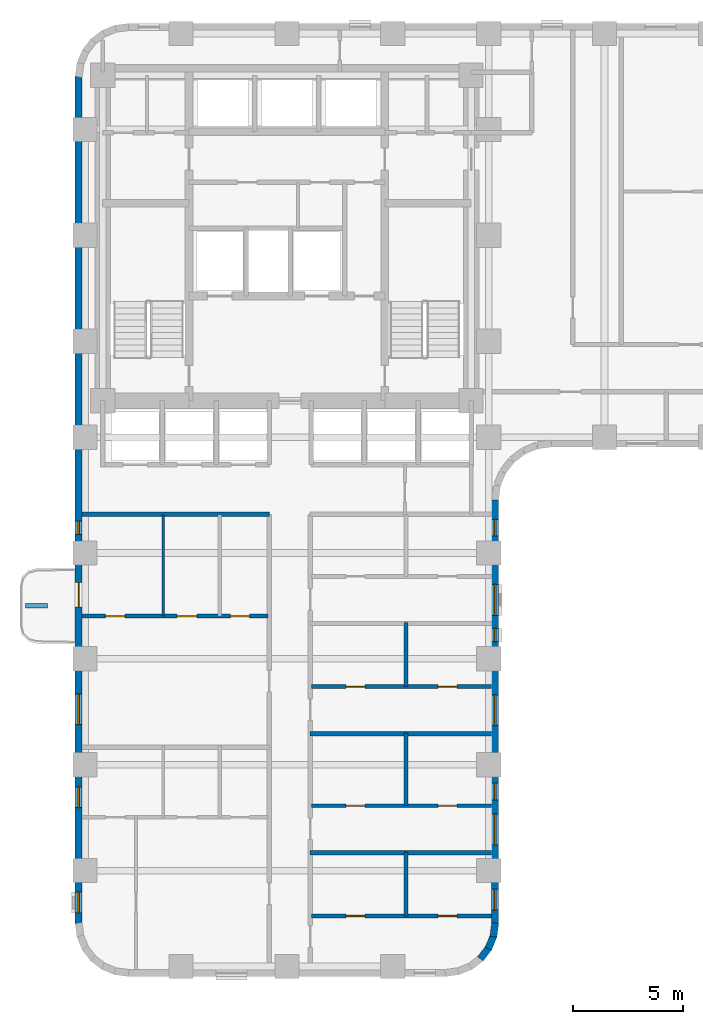
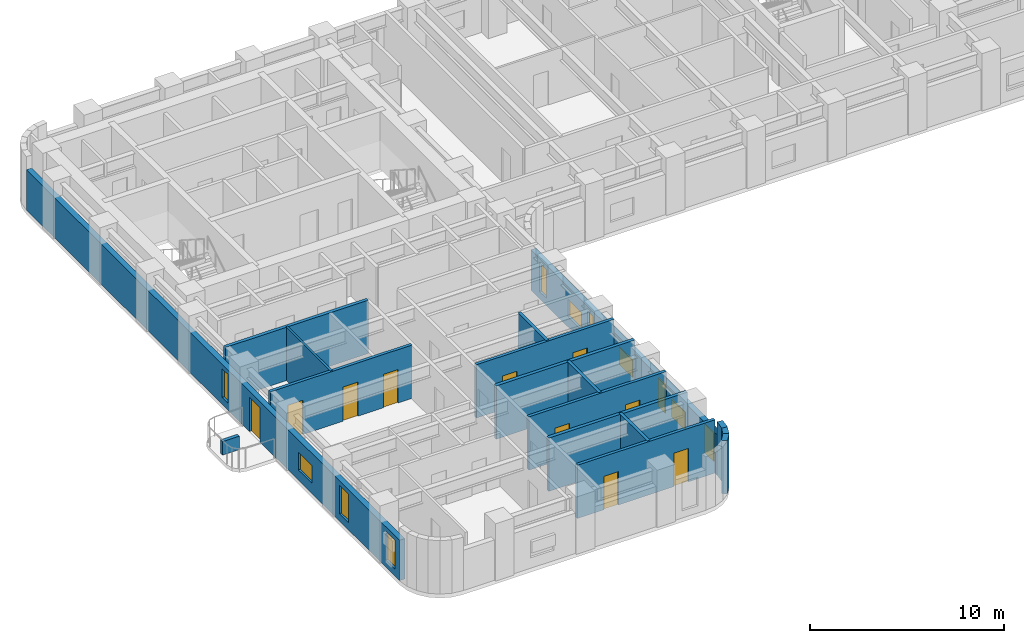
# One storey, part 3 of 11: 17 walls, 11 windows, 10 doors, 21 openings.
"""IFC4 building model written with IfcOpenShell, lengths in metres."""

from ifc_helpers import new_model, si_unit, direction, frame, frame_2d, origin, place, context, subcontext, project, spatial, rectangle, extrude, material, layer, layer_set, type_object, element, fill, save


model = new_model("IFC4")

# Units and contexts
model_context = context("Model", 3, precision=1e-05, world=origin(), true_north=direction((0.0, 1.0)))
body_context = subcontext(model_context, "Body", "Model", "MODEL_VIEW")
ifc_project = project(units=[si_unit("LENGTHUNIT", "METRE"), si_unit("AREAUNIT", "SQUARE_METRE"), si_unit("VOLUMEUNIT", "CUBIC_METRE"), si_unit("PLANEANGLEUNIT", "RADIAN"), si_unit("MASSUNIT", "GRAM", prefix="KILO")], contexts=[model_context])

# Site, building, storey
site_placement = place(None, origin())
site = spatial("IfcSite", under=ifc_project, at=site_placement, CompositionType="ELEMENT")
building_placement = place(site_placement, origin())
building = spatial("IfcBuilding", under=site, at=building_placement, Name="Orvandelia Arch Residences", CompositionType="ELEMENT")
storey_placement = place(building_placement, frame((0.0, 0.0, 61.0)))
storey = spatial("IfcBuildingStorey", under=building, at=storey_placement, Name="L15", CompositionType="ELEMENT", Elevation=61.0)

# Walls
ifc_material_1 = material(Name="Fire-Rated Corridor Partition")
ifc_layer_1 = layer(ifc_material_1, 0.199951171875, Name="Fire-Rated Corridor Partition")
ifc_layer_set_1 = layer_set([ifc_layer_1], Name="Fire-Rated Corridor Partition")
wall_type_1 = type_object("IfcWallType", Name="WL-CORR-200", PredefinedType="PARTITIONING", material=ifc_layer_set_1)
wall_1_placement = place(storey_placement, frame((5.1201171875, 25.75, 0.0), z_axis=(0.0, 0.0, 1.0), x_axis=(1.0, 0.0, 0.0)))
element("IfcWall", 1, at=wall_1_placement, inside=storey, type_object=wall_type_1, Name="Interior Partition Wall WL-L15-WCLS-W", PredefinedType="PARTITIONING", context=body_context, shape_type="SweptSolid", body=[
    extrude(rectangle(XDim=8.47998046875, YDim=0.199951171875, at=frame_2d((4.239990234375, 0.0))), origin(), (0.0, 0.0, 1.0), 3.35009765625),
])
ifc_material_2 = material(Name="Concrete C40/50", Category="concrete")
ifc_layer_2 = layer(ifc_material_2, 0.199951171875, Name="Concrete C40/50", Category="concrete")
ifc_layer_set_2 = layer_set([ifc_layer_2], Name="Concrete C40/50")
wall_type_2 = type_object("IfcWallType", Name="WL-DEM-200", PredefinedType="SOLIDWALL", material=ifc_layer_set_2)
for number, where, z_axis, x_axis, name in (
    (2, (15.449951171875, 10.39990234375, 0.0), (0.0, 0.0, 1.0), (1.0, 0.0, 0.0), "Interior Partition Wall WL-L15-DEM-WR-104"),
    (3, (15.449951171875, 15.800048828125, 0.0), (0.0, 0.0, 1.0), (1.0, 0.0, 0.0), "Interior Partition Wall WL-L15-DEM-WR-158"),
):
    element("IfcWall", number, at=place(storey_placement, frame(where, z_axis=z_axis, x_axis=x_axis)), inside=storey, type_object=wall_type_2, Name=name, PredefinedType="SOLIDWALL", context=body_context, shape_type="SweptSolid", body=[
        extrude(rectangle(XDim=8.22998046875, YDim=0.199951171875, at=frame_2d((4.114990234375, 0.0))), origin(), (0.0, 0.0, 1.0), 3.35009765625),
    ])

# Wall, openings, windows
ifc_material_3 = material(Name="Precast concrete C40/50", Category="concrete")
ifc_layer_3 = layer(ifc_material_3, 0.320068359375, Name="Precast concrete C40/50", Category="concrete")
ifc_layer_set_3 = layer_set([ifc_layer_3], Name="Precast concrete C40/50")
wall_type_3 = type_object("IfcWallType", Name="WL-EXT-STONE-320", PredefinedType="STANDARD", material=ifc_layer_set_3)
wall_2_placement = place(storey_placement, frame((23.840087890625, 26.39990234375, 0.0), z_axis=(0.0, 0.0, 1.0), x_axis=(0.0, -1.0, 0.0)))
wall_2 = element("IfcWall", 4, at=wall_2_placement, inside=storey, type_object=wall_type_3, Name="Coral-Limestone Precast Facade Wall L15-028", PredefinedType="STANDARD", context=body_context, shape_type="SweptSolid", body=[
    extrude(rectangle(XDim=19.199951171875, YDim=0.320068359375, at=frame_2d((9.60009765625, 0.0))), origin(), (0.0, 0.0, 1.0), 2.530029296875),
])
opening_1_placement = place(wall_2_placement, frame((14.22998046875, 0.0, 0.64990234375)))
opening_1 = element("IfcOpeningElement", 5, at=opening_1_placement, cuts=wall_2, Name="Opening W10", PredefinedType="OPENING", context=body_context, shape_type="SweptSolid", body=[
    extrude(rectangle(XDim=1.39990234375, YDim=1.10009765625, at=frame_2d((0.699951171875, 0.550048828125))), frame((0.0, 0.169921875, 0.0), z_axis=(0.0, -1.0, 0.0), x_axis=(1.0, 0.0, 0.0)), (0.0, 0.0, 1.0), 0.340087890625),
])
opening_2_placement = place(wall_2_placement, frame((8.830078125, 0.0, 0.64990234375)))
opening_2 = element("IfcOpeningElement", 6, at=opening_2_placement, cuts=wall_2, Name="Opening W10", PredefinedType="OPENING", context=body_context, shape_type="SweptSolid", body=[
    extrude(rectangle(XDim=1.39990234375, YDim=1.10009765625, at=frame_2d((0.699951171875, 0.550048828125))), frame((0.0, 0.169921875, 0.0), z_axis=(0.0, -1.0, 0.0), x_axis=(1.0, 0.0, 0.0)), (0.0, 0.0, 1.0), 0.340087890625),
])
opening_3_placement = place(wall_2_placement, frame((3.830078125, 0.0, 0.64990234375)))
opening_3 = element("IfcOpeningElement", 7, at=opening_3_placement, cuts=wall_2, Name="Opening W10", PredefinedType="OPENING", context=body_context, shape_type="SweptSolid", body=[
    extrude(rectangle(XDim=1.39990234375, YDim=1.10009765625, at=frame_2d((0.699951171875, 0.550048828125))), frame((0.0, 0.169921875, 0.0), z_axis=(0.0, -1.0, 0.0), x_axis=(1.0, 0.0, 0.0)), (0.0, 0.0, 1.0), 0.340087890625),
])
opening_4_placement = place(wall_2_placement, frame((17.638916015625, 0.0, 0.449951171875)))
opening_4 = element("IfcOpeningElement", 8, at=opening_4_placement, cuts=wall_2, Name="Opening W4", PredefinedType="OPENING", context=body_context, shape_type="SweptSolid", body=[
    extrude(rectangle(XDim=0.949951171875, YDim=1.800048828125, at=frame_2d((0.47509765625, 0.89990234375))), frame((0.0, 0.169921875, 0.0), z_axis=(0.0, -1.0, 0.0), x_axis=(1.0, 0.0, 0.0)), (0.0, 0.0, 1.0), 0.340087890625),
])
opening_5_placement = place(wall_2_placement, frame((12.840087890625, 0.0, 0.449951171875)))
opening_5 = element("IfcOpeningElement", 9, at=opening_5_placement, cuts=wall_2, Name="Opening W11", PredefinedType="OPENING", context=body_context, shape_type="SweptSolid", body=[
    extrude(rectangle(XDim=0.75, YDim=1.800048828125, at=frame_2d((0.375, 0.89990234375))), frame((0.0, 0.169921875, 0.0), z_axis=(0.0, -1.0, 0.0), x_axis=(1.0, 0.0, 0.0)), (0.0, 0.0, 1.0), 0.340087890625),
])
opening_6_placement = place(wall_2_placement, frame((5.81494140625, 0.0, 0.449951171875)))
opening_6 = element("IfcOpeningElement", 10, at=opening_6_placement, cuts=wall_2, Name="Opening W12", PredefinedType="OPENING", context=body_context, shape_type="SweptSolid", body=[
    extrude(rectangle(XDim=0.60009765625, YDim=1.800048828125, at=frame_2d((0.300048828125, 0.89990234375))), frame((0.0, 0.169921875, 0.0), z_axis=(0.0, -1.0, 0.0), x_axis=(1.0, 0.0, 0.0)), (0.0, 0.0, 1.0), 0.340087890625),
])
opening_7_placement = place(wall_2_placement, frame((0.8798828125, 0.0, 0.449951171875)))
opening_7 = element("IfcOpeningElement", 11, at=opening_7_placement, cuts=wall_2, Name="Opening W11", PredefinedType="OPENING", context=body_context, shape_type="SweptSolid", body=[
    extrude(rectangle(XDim=0.75, YDim=1.800048828125, at=frame_2d((0.375, 0.89990234375))), frame((0.0, 0.169921875, 0.0), z_axis=(0.0, -1.0, 0.0), x_axis=(1.0, 0.0, 0.0)), (0.0, 0.0, 1.0), 0.340087890625),
])
ifc_material_4 = material(Name="Tempered Low-E Insulated Glazing", Category="glass")
window_type_1 = type_object("IfcWindowType", Name="WIN-BED-0750x1800", PartitioningType="SINGLE_PANEL", PredefinedType="WINDOW", material=ifc_material_4)
window_1_placement = place(opening_5_placement, origin())
window_1 = element("IfcWindow", 12, at=window_1_placement, inside=storey, type_object=window_type_1, Name="Recessed Punched Window L15-020", OverallHeight=1.800048828125, OverallWidth=0.75, PartitioningType="SINGLE_PANEL", PredefinedType="WINDOW", context=body_context, shape_type="SweptSolid", body=[
    extrude(rectangle(XDim=0.75, YDim=1.800048828125, at=frame_2d((0.375, 0.89990234375))), frame((0.0, 0.030029296875, 0.0), z_axis=(0.0, -1.0, 0.0), x_axis=(1.0, 0.0, 0.0)), (0.0, 0.0, 1.0), 0.06005859375),
])
fill(opening_5, window_1)
window_2_placement = place(opening_7_placement, origin())
window_2 = element("IfcWindow", 13, at=window_2_placement, inside=storey, type_object=window_type_1, Name="Recessed Punched Window L15-022", OverallHeight=1.800048828125, OverallWidth=0.75, PartitioningType="SINGLE_PANEL", PredefinedType="WINDOW", context=body_context, shape_type="SweptSolid", body=[
    extrude(rectangle(XDim=0.75, YDim=1.800048828125, at=frame_2d((0.375, 0.89990234375))), frame((0.0, 0.030029296875, 0.0), z_axis=(0.0, -1.0, 0.0), x_axis=(1.0, 0.0, 0.0)), (0.0, 0.0, 1.0), 0.06005859375),
])
fill(opening_7, window_2)
window_type_2 = type_object("IfcWindowType", Name="WIN-CLR-1400x1100", PartitioningType="SINGLE_PANEL", PredefinedType="WINDOW", material=ifc_material_4)
window_3_placement = place(opening_1_placement, origin())
window_3 = element("IfcWindow", 14, at=window_3_placement, inside=storey, type_object=window_type_2, Name="Recessed Punched Window L15-016", OverallHeight=1.10009765625, OverallWidth=1.39990234375, PartitioningType="SINGLE_PANEL", PredefinedType="WINDOW", context=body_context, shape_type="SweptSolid", body=[
    extrude(rectangle(XDim=1.39990234375, YDim=1.10009765625, at=frame_2d((0.699951171875, 0.550048828125))), frame((0.0, 0.030029296875, 0.0), z_axis=(0.0, -1.0, 0.0), x_axis=(1.0, 0.0, 0.0)), (0.0, 0.0, 1.0), 0.06005859375),
])
fill(opening_1, window_3)
window_4_placement = place(opening_2_placement, origin())
window_4 = element("IfcWindow", 15, at=window_4_placement, inside=storey, type_object=window_type_2, Name="Recessed Punched Window L15-017", OverallHeight=1.10009765625, OverallWidth=1.39990234375, PartitioningType="SINGLE_PANEL", PredefinedType="WINDOW", context=body_context, shape_type="SweptSolid", body=[
    extrude(rectangle(XDim=1.39990234375, YDim=1.10009765625, at=frame_2d((0.699951171875, 0.550048828125))), frame((0.0, 0.030029296875, 0.0), z_axis=(0.0, -1.0, 0.0), x_axis=(1.0, 0.0, 0.0)), (0.0, 0.0, 1.0), 0.06005859375),
])
fill(opening_2, window_4)
window_5_placement = place(opening_3_placement, origin())
window_5 = element("IfcWindow", 16, at=window_5_placement, inside=storey, type_object=window_type_2, Name="Recessed Punched Window L15-018", OverallHeight=1.10009765625, OverallWidth=1.39990234375, PartitioningType="SINGLE_PANEL", PredefinedType="WINDOW", context=body_context, shape_type="SweptSolid", body=[
    extrude(rectangle(XDim=1.39990234375, YDim=1.10009765625, at=frame_2d((0.699951171875, 0.550048828125))), frame((0.0, 0.030029296875, 0.0), z_axis=(0.0, -1.0, 0.0), x_axis=(1.0, 0.0, 0.0)), (0.0, 0.0, 1.0), 0.06005859375),
])
fill(opening_3, window_5)
window_type_3 = type_object("IfcWindowType", Name="WIN-LAN-0600x1800", PartitioningType="SINGLE_PANEL", PredefinedType="WINDOW", material=ifc_material_4)
window_6_placement = place(opening_6_placement, origin())
window_6 = element("IfcWindow", 17, at=window_6_placement, inside=storey, type_object=window_type_3, Name="Recessed Punched Window L15-021", OverallHeight=1.800048828125, OverallWidth=0.60009765625, PartitioningType="SINGLE_PANEL", PredefinedType="WINDOW", context=body_context, shape_type="SweptSolid", body=[
    extrude(rectangle(XDim=0.60009765625, YDim=1.800048828125, at=frame_2d((0.300048828125, 0.89990234375))), frame((0.0, 0.030029296875, 0.0), z_axis=(0.0, -1.0, 0.0), x_axis=(1.0, 0.0, 0.0)), (0.0, 0.0, 1.0), 0.06005859375),
])
fill(opening_6, window_6)
window_type_4 = type_object("IfcWindowType", Name="WIN-RES-0950x1800", PartitioningType="SINGLE_PANEL", PredefinedType="WINDOW", material=ifc_material_4)
window_7_placement = place(opening_4_placement, origin())
window_7 = element("IfcWindow", 18, at=window_7_placement, inside=storey, type_object=window_type_4, Name="Recessed Punched Window L15-019", OverallHeight=1.800048828125, OverallWidth=0.949951171875, PartitioningType="SINGLE_PANEL", PredefinedType="WINDOW", context=body_context, shape_type="SweptSolid", body=[
    extrude(rectangle(XDim=0.949951171875, YDim=1.800048828125, at=frame_2d((0.47509765625, 0.89990234375))), frame((0.0, 0.030029296875, 0.0), z_axis=(0.0, -1.0, 0.0), x_axis=(1.0, 0.0, 0.0)), (0.0, 0.0, 1.0), 0.06005859375),
])
fill(opening_4, window_7)

# Walls
wall_3_placement = place(storey_placement, frame((23.84130859375, 7.220947265625, 0.0), z_axis=(0.0, 0.0, 1.0), x_axis=(-0.130504898859, -0.991447664465, 0.0)))
element("IfcWall", 19, at=wall_3_placement, inside=storey, type_object=wall_type_3, Name="Coral-Limestone Precast Facade Wall L15-029", PredefinedType="STANDARD", context=body_context, shape_type="SweptSolid", body=[
    extrude(rectangle(XDim=0.626708984375, YDim=0.320068359375, at=frame_2d((0.3134765625, 0.0))), origin(), (0.0, 0.0, 1.0), 3.35009765625),
])
wall_4_placement = place(storey_placement, frame((23.7705078125, 6.639892578125, 0.0), z_axis=(0.0, 0.0, 1.0), x_axis=(-0.382787856107, -0.923836271867, 0.0)))
element("IfcWall", 20, at=wall_4_placement, inside=storey, type_object=wall_type_3, Name="Coral-Limestone Precast Facade Wall L15-030", PredefinedType="STANDARD", context=body_context, shape_type="SweptSolid", body=[
    extrude(rectangle(XDim=0.626220703125, YDim=0.320068359375, at=frame_2d((0.31298828125, 0.0))), origin(), (0.0, 0.0, 1.0), 3.35009765625),
])
wall_5_placement = place(storey_placement, frame((23.551513671875, 6.097412109375, 0.0), z_axis=(0.0, 0.0, 1.0), x_axis=(-0.608693302629, -0.793405610854, 0.0)))
element("IfcWall", 21, at=wall_5_placement, inside=storey, type_object=wall_type_3, Name="Coral-Limestone Precast Facade Wall L15-031", PredefinedType="STANDARD", context=body_context, shape_type="SweptSolid", body=[
    extrude(rectangle(XDim=0.62646484375, YDim=0.320068359375, at=frame_2d((0.313232421875, 0.0))), origin(), (0.0, 0.0, 1.0), 3.35009765625),
])

# Wall, openings, door, windows
wall_6_placement = place(storey_placement, frame((4.9599609375, 7.199951171875, 0.0), z_axis=(0.0, 0.0, 1.0), x_axis=(0.0, 1.0, 0.0)))
wall_6 = element("IfcWall", 22, at=wall_6_placement, inside=storey, type_object=wall_type_3, Name="Coral-Limestone Precast Facade Wall L15-042", PredefinedType="STANDARD", context=body_context, shape_type="SweptSolid", body=[
    extrude(rectangle(XDim=38.400146484375, YDim=0.320068359375, at=frame_2d((19.2001953125, 0.0))), origin(), (0.0, 0.0, 1.0), 2.530029296875),
])
opening_8_placement = place(wall_6_placement, frame((14.35009765625, 0.0, 0.0)))
opening_8 = element("IfcOpeningElement", 23, at=opening_8_placement, cuts=wall_6, Name="Opening BD1", PredefinedType="OPENING", context=body_context, shape_type="SweptSolid", body=[
    extrude(rectangle(XDim=1.10009765625, YDim=2.14990234375, at=frame_2d((0.550048828125, 1.074951171875))), frame((0.0, 0.169921875, 0.0), z_axis=(0.0, -1.0, 0.0), x_axis=(1.0, 0.0, 0.0)), (0.0, 0.0, 1.0), 0.340087890625),
])
opening_9_placement = place(wall_6_placement, frame((5.2490234375, 0.0, 0.449951171875)))
opening_9 = element("IfcOpeningElement", 24, at=opening_9_placement, cuts=wall_6, Name="Opening W4", PredefinedType="OPENING", context=body_context, shape_type="SweptSolid", body=[
    extrude(rectangle(XDim=0.949951171875, YDim=1.800048828125, at=frame_2d((0.47509765625, 0.89990234375))), frame((0.0, 0.169921875, 0.0), z_axis=(0.0, -1.0, 0.0), x_axis=(1.0, 0.0, 0.0)), (0.0, 0.0, 1.0), 0.340087890625),
])
opening_10_placement = place(wall_6_placement, frame((17.64501953125, 0.0, 0.449951171875)))
opening_10 = element("IfcOpeningElement", 25, at=opening_10_placement, cuts=wall_6, Name="Opening W12", PredefinedType="OPENING", context=body_context, shape_type="SweptSolid", body=[
    extrude(rectangle(XDim=0.60009765625, YDim=1.800048828125, at=frame_2d((0.300048828125, 0.89990234375))), frame((0.0, 0.169921875, 0.0), z_axis=(0.0, -1.0, 0.0), x_axis=(1.0, 0.0, 0.0)), (0.0, 0.0, 1.0), 0.340087890625),
])
opening_11_placement = place(wall_6_placement, frame((0.469970703125, 0.0, 0.449951171875)))
opening_11 = element("IfcOpeningElement", 26, at=opening_11_placement, cuts=wall_6, Name="Opening W4", PredefinedType="OPENING", context=body_context, shape_type="SweptSolid", body=[
    extrude(rectangle(XDim=0.949951171875, YDim=1.800048828125, at=frame_2d((0.47509765625, 0.89990234375))), frame((0.0, 0.169921875, 0.0), z_axis=(0.0, -1.0, 0.0), x_axis=(1.0, 0.0, 0.0)), (0.0, 0.0, 1.0), 0.340087890625),
])
opening_12_placement = place(wall_6_placement, frame((9.014892578125, 0.0, 0.64990234375)))
opening_12 = element("IfcOpeningElement", 27, at=opening_12_placement, cuts=wall_6, Name="Opening W10", PredefinedType="OPENING", context=body_context, shape_type="SweptSolid", body=[
    extrude(rectangle(XDim=1.39990234375, YDim=1.10009765625, at=frame_2d((0.699951171875, 0.550048828125))), frame((0.0, 0.169921875, 0.0), z_axis=(0.0, -1.0, 0.0), x_axis=(1.0, 0.0, 0.0)), (0.0, 0.0, 1.0), 0.340087890625),
])
ifc_material_5 = material(Name="Thermally Broken Aluminium Glazed Door", Category="aluminium")
door_type_1 = type_object("IfcDoorType", Name="DR-BAL-GLAZ-1100", OperationType="NOTDEFINED", PredefinedType="DOOR", material=ifc_material_5)
door_1_placement = place(opening_8_placement, origin())
door_1 = element("IfcDoor", 28, at=door_1_placement, inside=storey, type_object=door_type_1, Name="Tree Balcony Glazed Door BAL-L15-W1", OperationType="SINGLE_SWING_RIGHT", OverallHeight=2.14990234375, OverallWidth=1.10009765625, PredefinedType="DOOR", context=body_context, shape_type="SweptSolid", body=[
    extrude(rectangle(XDim=1.10009765625, YDim=2.14990234375, at=frame_2d((0.550048828125, 1.074951171875))), frame((0.0, 0.02490234375, 0.0), z_axis=(0.0, -1.0, 0.0), x_axis=(1.0, 0.0, 0.0)), (0.0, 0.0, 1.0), 0.050048828125),
])
fill(opening_8, door_1)
window_8_placement = place(opening_12_placement, origin())
window_8 = element("IfcWindow", 29, at=window_8_placement, inside=storey, type_object=window_type_2, Name="Recessed Punched Window L15-028", OverallHeight=1.10009765625, OverallWidth=1.39990234375, PartitioningType="SINGLE_PANEL", PredefinedType="WINDOW", context=body_context, shape_type="SweptSolid", body=[
    extrude(rectangle(XDim=1.39990234375, YDim=1.10009765625, at=frame_2d((0.699951171875, 0.550048828125))), frame((0.0, 0.030029296875, 0.0), z_axis=(0.0, -1.0, 0.0), x_axis=(1.0, 0.0, 0.0)), (0.0, 0.0, 1.0), 0.06005859375),
])
fill(opening_12, window_8)
window_9_placement = place(opening_10_placement, origin())
window_9 = element("IfcWindow", 30, at=window_9_placement, inside=storey, type_object=window_type_3, Name="Recessed Punched Window L15-026", OverallHeight=1.800048828125, OverallWidth=0.60009765625, PartitioningType="SINGLE_PANEL", PredefinedType="WINDOW", context=body_context, shape_type="SweptSolid", body=[
    extrude(rectangle(XDim=0.60009765625, YDim=1.800048828125, at=frame_2d((0.300048828125, 0.89990234375))), frame((0.0, 0.030029296875, 0.0), z_axis=(0.0, -1.0, 0.0), x_axis=(1.0, 0.0, 0.0)), (0.0, 0.0, 1.0), 0.06005859375),
])
fill(opening_10, window_9)
window_10_placement = place(opening_9_placement, origin())
window_10 = element("IfcWindow", 31, at=window_10_placement, inside=storey, type_object=window_type_4, Name="Recessed Punched Window L15-025", OverallHeight=1.800048828125, OverallWidth=0.949951171875, PartitioningType="SINGLE_PANEL", PredefinedType="WINDOW", context=body_context, shape_type="SweptSolid", body=[
    extrude(rectangle(XDim=0.949951171875, YDim=1.800048828125, at=frame_2d((0.47509765625, 0.89990234375))), frame((0.0, 0.030029296875, 0.0), z_axis=(0.0, -1.0, 0.0), x_axis=(1.0, 0.0, 0.0)), (0.0, 0.0, 1.0), 0.06005859375),
])
fill(opening_9, window_10)
window_11_placement = place(opening_11_placement, origin())
window_11 = element("IfcWindow", 32, at=window_11_placement, inside=storey, type_object=window_type_4, Name="Recessed Punched Window L15-027", OverallHeight=1.800048828125, OverallWidth=0.949951171875, PartitioningType="SINGLE_PANEL", PredefinedType="WINDOW", context=body_context, shape_type="SweptSolid", body=[
    extrude(rectangle(XDim=0.949951171875, YDim=1.800048828125, at=frame_2d((0.47509765625, 0.89990234375))), frame((0.0, 0.030029296875, 0.0), z_axis=(0.0, -1.0, 0.0), x_axis=(1.0, 0.0, 0.0)), (0.0, 0.0, 1.0), 0.06005859375),
])
fill(opening_11, window_11)

# Walls
ifc_material_6 = material(Name="Lightweight Gypsum Stud Partition")
ifc_layer_4 = layer(ifc_material_6, 0.1201171875, Name="Lightweight Gypsum Stud Partition")
ifc_layer_set_4 = layer_set([ifc_layer_4], Name="Lightweight Gypsum Stud Partition")
wall_type_4 = type_object("IfcWallType", Name="WL-PART-120", PredefinedType="PARTITIONING", material=ifc_layer_set_4)
wall_7_placement = place(storey_placement, frame((8.791015625, 21.132080078125, 0.0), z_axis=(0.0, 0.0, 1.0), x_axis=(0.0, 1.0, 0.0)))
element("IfcWall", 33, at=wall_7_placement, inside=storey, type_object=wall_type_4, Name="Interior Partition Wall WL-L15-U02-V1", PredefinedType="PARTITIONING", context=body_context, shape_type="SweptSolid", body=[
    extrude(rectangle(XDim=4.587890625, YDim=0.1201171875, at=frame_2d((2.2939453125, 0.0))), origin(), (0.0, 0.0, 1.0), 3.35009765625),
])
ifc_layer_5 = layer(ifc_material_3, 0.199951171875, Name="Precast concrete C40/50", Category="concrete")
ifc_layer_set_5 = layer_set([ifc_layer_5], Name="Precast concrete C40/50")
wall_type_5 = type_object("IfcWallType", Name="WL-PLANTER-200", PredefinedType="MOVABLE", material=ifc_layer_set_5)
wall_8_placement = place(storey_placement, frame((2.550048828125, 21.60009765625, 0.0), z_axis=(0.0, 0.0, 1.0), x_axis=(1.0, 0.0, 0.0)))
element("IfcWall", 34, at=wall_8_placement, inside=storey, type_object=wall_type_5, Name="Balcony Precast Tree Planter BAL-L15-W1", PredefinedType="MOVABLE", context=body_context, shape_type="SweptSolid", body=[
    extrude(rectangle(XDim=1.0, YDim=0.199951171875, at=frame_2d((0.5, 0.0))), origin(), (0.0, 0.0, 1.0), 0.85009765625),
])

# Wall, openings, doors
ifc_material_7 = material(Name="Moisture-Resistant Plumbing Wall")
ifc_layer_6 = layer(ifc_material_7, 0.179931640625, Name="Moisture-Resistant Plumbing Wall")
ifc_layer_set_6 = layer_set([ifc_layer_6], Name="Moisture-Resistant Plumbing Wall")
wall_type_6 = type_object("IfcWallType", Name="WL-WET-180", PredefinedType="PLUMBINGWALL", material=ifc_layer_set_6)
wall_9_placement = place(storey_placement, frame((5.1201171875, 21.132080078125, 0.0), z_axis=(0.0, 0.0, 1.0), x_axis=(1.0, 0.0, 0.0)))
wall_9 = element("IfcWall", 35, at=wall_9_placement, inside=storey, type_object=wall_type_6, Name="Interior Partition Wall WL-L15-U02-HZ", PredefinedType="PLUMBINGWALL", context=body_context, shape_type="SweptSolid", body=[
    extrude(rectangle(XDim=8.419921875, YDim=0.179931640625, at=frame_2d((4.2099609375, 0.0))), origin(), (0.0, 0.0, 1.0), 3.35009765625),
])
opening_13_placement = place(wall_9_placement, frame((1.04638671875, 0.0, 0.0)))
opening_13 = element("IfcOpeningElement", 36, at=opening_13_placement, cuts=wall_9, Name="Opening D3", PredefinedType="OPENING", context=body_context, shape_type="SweptSolid", body=[
    extrude(rectangle(XDim=0.89990234375, YDim=2.14990234375, at=frame_2d((0.449951171875, 1.074951171875))), frame((0.0, 0.10009765625, 0.0), z_axis=(0.0, -1.0, 0.0), x_axis=(1.0, 0.0, 0.0)), (0.0, 0.0, 1.0), 0.199951171875),
])
opening_14_placement = place(wall_9_placement, frame((4.307373046875, 0.0, 0.0)))
opening_14 = element("IfcOpeningElement", 37, at=opening_14_placement, cuts=wall_9, Name="Opening D3", PredefinedType="OPENING", context=body_context, shape_type="SweptSolid", body=[
    extrude(rectangle(XDim=0.89990234375, YDim=2.14990234375, at=frame_2d((0.449951171875, 1.074951171875))), frame((0.0, 0.10009765625, 0.0), z_axis=(0.0, -1.0, 0.0), x_axis=(1.0, 0.0, 0.0)), (0.0, 0.0, 1.0), 0.199951171875),
])
opening_15_placement = place(wall_9_placement, frame((6.723388671875, 0.0, 0.0)))
opening_15 = element("IfcOpeningElement", 38, at=opening_15_placement, cuts=wall_9, Name="Opening D4", PredefinedType="OPENING", context=body_context, shape_type="SweptSolid", body=[
    extrude(rectangle(XDim=0.860107421875, YDim=2.10009765625, at=frame_2d((0.43017578125, 1.050048828125))), frame((0.0, 0.10009765625, 0.0), z_axis=(0.0, -1.0, 0.0), x_axis=(1.0, 0.0, 0.0)), (0.0, 0.0, 1.0), 0.199951171875),
])
ifc_material_8 = material(Name="Engineered Timber Flush Door", Category="wood")
door_type_2 = type_object("IfcDoorType", Name="DR-INT-900", OperationType="NOTDEFINED", PredefinedType="DOOR", material=ifc_material_8)
door_2_placement = place(opening_13_placement, origin())
door_2 = element("IfcDoor", 39, at=door_2_placement, inside=storey, type_object=door_type_2, Name="DR-L15-U02-BD1", OperationType="SINGLE_SWING_RIGHT", OverallHeight=2.14990234375, OverallWidth=0.89990234375, PredefinedType="DOOR", context=body_context, shape_type="SweptSolid", body=[
    extrude(rectangle(XDim=0.89990234375, YDim=2.14990234375, at=frame_2d((0.449951171875, 1.074951171875))), frame((0.0, 0.02490234375, 0.0), z_axis=(0.0, -1.0, 0.0), x_axis=(1.0, 0.0, 0.0)), (0.0, 0.0, 1.0), 0.050048828125),
])
fill(opening_13, door_2)
door_3_placement = place(opening_14_placement, origin())
door_3 = element("IfcDoor", 40, at=door_3_placement, inside=storey, type_object=door_type_2, Name="DR-L15-U02-KIT", OperationType="SINGLE_SWING_LEFT", OverallHeight=2.14990234375, OverallWidth=0.89990234375, PredefinedType="DOOR", context=body_context, shape_type="SweptSolid", body=[
    extrude(rectangle(XDim=0.89990234375, YDim=2.14990234375, at=frame_2d((0.449951171875, 1.074951171875))), frame((0.0, 0.02490234375, 0.0), z_axis=(0.0, -1.0, 0.0), x_axis=(1.0, 0.0, 0.0)), (0.0, 0.0, 1.0), 0.050048828125),
])
fill(opening_14, door_3)
ifc_material_9 = material(Name="Moisture-Sealed Timber Bathroom Door", Category="wood")
door_type_3 = type_object("IfcDoorType", Name="DR-WET-900", OperationType="NOTDEFINED", PredefinedType="DOOR", material=ifc_material_9)
door_4_placement = place(opening_15_placement, origin())
door_4 = element("IfcDoor", 41, at=door_4_placement, inside=storey, type_object=door_type_3, Name="DR-L15-U02-BTH", OperationType="SINGLE_SWING_RIGHT", OverallHeight=2.10009765625, OverallWidth=0.860107421875, PredefinedType="DOOR", context=body_context, shape_type="SweptSolid", body=[
    extrude(rectangle(XDim=0.860107421875, YDim=2.10009765625, at=frame_2d((0.43017578125, 1.050048828125))), frame((0.0, 0.02490234375, 0.0), z_axis=(0.0, -1.0, 0.0), x_axis=(1.0, 0.0, 0.0)), (0.0, 0.0, 1.0), 0.050048828125),
])
fill(opening_15, door_4)

wall_10_placement = place(storey_placement, frame((15.510009765625, 7.5419921875, 0.0), z_axis=(0.0, 0.0, 1.0), x_axis=(1.0, 0.0, 0.0)))
wall_10 = element("IfcWall", 42, at=wall_10_placement, inside=storey, type_object=wall_type_6, Name="Interior Partition Wall WL-L15-U03-HZ", PredefinedType="PLUMBINGWALL", context=body_context, shape_type="SweptSolid", body=[
    extrude(rectangle(XDim=8.169921875, YDim=0.179931640625, at=frame_2d((4.0849609375, 0.0))), origin(), (0.0, 0.0, 1.0), 3.35009765625),
])
opening_16_placement = place(wall_10_placement, frame((1.56494140625, 0.0, 0.0)))
opening_16 = element("IfcOpeningElement", 43, at=opening_16_placement, cuts=wall_10, Name="Opening D4", PredefinedType="OPENING", context=body_context, shape_type="SweptSolid", body=[
    extrude(rectangle(XDim=0.860107421875, YDim=2.10009765625, at=frame_2d((0.43017578125, 1.050048828125))), frame((0.0, 0.10009765625, 0.0), z_axis=(0.0, -1.0, 0.0), x_axis=(1.0, 0.0, 0.0)), (0.0, 0.0, 1.0), 0.199951171875),
])
opening_17_placement = place(wall_10_placement, frame((5.72998046875, 0.0, 0.0)))
opening_17 = element("IfcOpeningElement", 44, at=opening_17_placement, cuts=wall_10, Name="Opening D4", PredefinedType="OPENING", context=body_context, shape_type="SweptSolid", body=[
    extrude(rectangle(XDim=0.860107421875, YDim=2.10009765625, at=frame_2d((0.43017578125, 1.050048828125))), frame((0.0, 0.10009765625, 0.0), z_axis=(0.0, -1.0, 0.0), x_axis=(1.0, 0.0, 0.0)), (0.0, 0.0, 1.0), 0.199951171875),
])
door_5_placement = place(opening_16_placement, origin())
door_5 = element("IfcDoor", 45, at=door_5_placement, inside=storey, type_object=door_type_3, Name="DR-L15-U03-KIT", OperationType="SINGLE_SWING_LEFT", OverallHeight=2.10009765625, OverallWidth=0.860107421875, PredefinedType="DOOR", context=body_context, shape_type="SweptSolid", body=[
    extrude(rectangle(XDim=0.860107421875, YDim=2.10009765625, at=frame_2d((0.43017578125, 1.050048828125))), frame((0.0, 0.02490234375, 0.0), z_axis=(0.0, -1.0, 0.0), x_axis=(1.0, 0.0, 0.0)), (0.0, 0.0, 1.0), 0.050048828125),
])
fill(opening_16, door_5)
door_6_placement = place(opening_17_placement, origin())
door_6 = element("IfcDoor", 46, at=door_6_placement, inside=storey, type_object=door_type_3, Name="DR-L15-U03-BTH", OperationType="SINGLE_SWING_RIGHT", OverallHeight=2.10009765625, OverallWidth=0.860107421875, PredefinedType="DOOR", context=body_context, shape_type="SweptSolid", body=[
    extrude(rectangle(XDim=0.860107421875, YDim=2.10009765625, at=frame_2d((0.43017578125, 1.050048828125))), frame((0.0, 0.02490234375, 0.0), z_axis=(0.0, -1.0, 0.0), x_axis=(1.0, 0.0, 0.0)), (0.0, 0.0, 1.0), 0.050048828125),
])
fill(opening_17, door_6)

# Wall
wall_11_placement = place(storey_placement, frame((19.7900390625, 7.5419921875, 0.0), z_axis=(0.0, 0.0, 1.0), x_axis=(0.0, 1.0, 0.0)))
element("IfcWall", 47, at=wall_11_placement, inside=storey, type_object=wall_type_6, Name="Interior Partition Wall WL-L15-U03-V1", PredefinedType="PLUMBINGWALL", context=body_context, shape_type="SweptSolid", body=[
    extrude(rectangle(XDim=2.89794921875, YDim=0.179931640625, at=frame_2d((1.448974609375, 0.0))), origin(), (0.0, 0.0, 1.0), 3.35009765625),
])

# Wall, openings, doors
wall_12_placement = place(storey_placement, frame((15.510009765625, 12.5400390625, 0.0), z_axis=(0.0, 0.0, 1.0), x_axis=(1.0, 0.0, 0.0)))
wall_12 = element("IfcWall", 48, at=wall_12_placement, inside=storey, type_object=wall_type_6, Name="Interior Partition Wall WL-L15-U04-HZ", PredefinedType="PLUMBINGWALL", context=body_context, shape_type="SweptSolid", body=[
    extrude(rectangle(XDim=8.169921875, YDim=0.179931640625, at=frame_2d((4.0849609375, 0.0))), origin(), (0.0, 0.0, 1.0), 3.35009765625),
])
opening_18_placement = place(wall_12_placement, frame((1.56494140625, 0.0, 0.0)))
opening_18 = element("IfcOpeningElement", 49, at=opening_18_placement, cuts=wall_12, Name="Opening D4", PredefinedType="OPENING", context=body_context, shape_type="SweptSolid", body=[
    extrude(rectangle(XDim=0.860107421875, YDim=2.10009765625, at=frame_2d((0.43017578125, 1.050048828125))), frame((0.0, 0.10009765625, 0.0), z_axis=(0.0, -1.0, 0.0), x_axis=(1.0, 0.0, 0.0)), (0.0, 0.0, 1.0), 0.199951171875),
])
opening_19_placement = place(wall_12_placement, frame((5.72998046875, 0.0, 0.0)))
opening_19 = element("IfcOpeningElement", 50, at=opening_19_placement, cuts=wall_12, Name="Opening D4", PredefinedType="OPENING", context=body_context, shape_type="SweptSolid", body=[
    extrude(rectangle(XDim=0.860107421875, YDim=2.10009765625, at=frame_2d((0.43017578125, 1.050048828125))), frame((0.0, 0.10009765625, 0.0), z_axis=(0.0, -1.0, 0.0), x_axis=(1.0, 0.0, 0.0)), (0.0, 0.0, 1.0), 0.199951171875),
])
door_7_placement = place(opening_18_placement, origin())
door_7 = element("IfcDoor", 51, at=door_7_placement, inside=storey, type_object=door_type_3, Name="DR-L15-U04-KIT", OperationType="SINGLE_SWING_RIGHT", OverallHeight=2.10009765625, OverallWidth=0.860107421875, PredefinedType="DOOR", context=body_context, shape_type="SweptSolid", body=[
    extrude(rectangle(XDim=0.860107421875, YDim=2.10009765625, at=frame_2d((0.43017578125, 1.050048828125))), frame((0.0, 0.02490234375, 0.0), z_axis=(0.0, -1.0, 0.0), x_axis=(1.0, 0.0, 0.0)), (0.0, 0.0, 1.0), 0.050048828125),
])
fill(opening_18, door_7)
door_8_placement = place(opening_19_placement, origin())
door_8 = element("IfcDoor", 52, at=door_8_placement, inside=storey, type_object=door_type_3, Name="DR-L15-U04-BTH", OperationType="SINGLE_SWING_LEFT", OverallHeight=2.10009765625, OverallWidth=0.860107421875, PredefinedType="DOOR", context=body_context, shape_type="SweptSolid", body=[
    extrude(rectangle(XDim=0.860107421875, YDim=2.10009765625, at=frame_2d((0.43017578125, 1.050048828125))), frame((0.0, 0.02490234375, 0.0), z_axis=(0.0, -1.0, 0.0), x_axis=(1.0, 0.0, 0.0)), (0.0, 0.0, 1.0), 0.050048828125),
])
fill(opening_19, door_8)

# Wall
wall_13_placement = place(storey_placement, frame((19.7900390625, 12.5400390625, 0.0), z_axis=(0.0, 0.0, 1.0), x_axis=(0.0, 1.0, 0.0)))
element("IfcWall", 53, at=wall_13_placement, inside=storey, type_object=wall_type_6, Name="Interior Partition Wall WL-L15-U04-V1", PredefinedType="PLUMBINGWALL", context=body_context, shape_type="SweptSolid", body=[
    extrude(rectangle(XDim=3.300048828125, YDim=0.179931640625, at=frame_2d((1.64990234375, 0.0))), origin(), (0.0, 0.0, 1.0), 3.35009765625),
])

# Wall, openings, doors
wall_14_placement = place(storey_placement, frame((15.510009765625, 17.93994140625, 0.0), z_axis=(0.0, 0.0, 1.0), x_axis=(1.0, 0.0, 0.0)))
wall_14 = element("IfcWall", 54, at=wall_14_placement, inside=storey, type_object=wall_type_6, Name="Interior Partition Wall WL-L15-U05-HZ", PredefinedType="PLUMBINGWALL", context=body_context, shape_type="SweptSolid", body=[
    extrude(rectangle(XDim=8.169921875, YDim=0.179931640625, at=frame_2d((4.0849609375, 0.0))), origin(), (0.0, 0.0, 1.0), 3.35009765625),
])
opening_20_placement = place(wall_14_placement, frame((1.56494140625, 0.0, 0.0)))
opening_20 = element("IfcOpeningElement", 55, at=opening_20_placement, cuts=wall_14, Name="Opening D4", PredefinedType="OPENING", context=body_context, shape_type="SweptSolid", body=[
    extrude(rectangle(XDim=0.860107421875, YDim=2.10009765625, at=frame_2d((0.43017578125, 1.050048828125))), frame((0.0, 0.10009765625, 0.0), z_axis=(0.0, -1.0, 0.0), x_axis=(1.0, 0.0, 0.0)), (0.0, 0.0, 1.0), 0.199951171875),
])
opening_21_placement = place(wall_14_placement, frame((5.72998046875, 0.0, 0.0)))
opening_21 = element("IfcOpeningElement", 56, at=opening_21_placement, cuts=wall_14, Name="Opening D4", PredefinedType="OPENING", context=body_context, shape_type="SweptSolid", body=[
    extrude(rectangle(XDim=0.860107421875, YDim=2.10009765625, at=frame_2d((0.43017578125, 1.050048828125))), frame((0.0, 0.10009765625, 0.0), z_axis=(0.0, -1.0, 0.0), x_axis=(1.0, 0.0, 0.0)), (0.0, 0.0, 1.0), 0.199951171875),
])
door_9_placement = place(opening_20_placement, origin())
door_9 = element("IfcDoor", 57, at=door_9_placement, inside=storey, type_object=door_type_3, Name="DR-L15-U05-KIT", OperationType="SINGLE_SWING_LEFT", OverallHeight=2.10009765625, OverallWidth=0.860107421875, PredefinedType="DOOR", context=body_context, shape_type="SweptSolid", body=[
    extrude(rectangle(XDim=0.860107421875, YDim=2.10009765625, at=frame_2d((0.43017578125, 1.050048828125))), frame((0.0, 0.02490234375, 0.0), z_axis=(0.0, -1.0, 0.0), x_axis=(1.0, 0.0, 0.0)), (0.0, 0.0, 1.0), 0.050048828125),
])
fill(opening_20, door_9)
door_10_placement = place(opening_21_placement, origin())
door_10 = element("IfcDoor", 58, at=door_10_placement, inside=storey, type_object=door_type_3, Name="DR-L15-U05-BTH", OperationType="SINGLE_SWING_RIGHT", OverallHeight=2.10009765625, OverallWidth=0.860107421875, PredefinedType="DOOR", context=body_context, shape_type="SweptSolid", body=[
    extrude(rectangle(XDim=0.860107421875, YDim=2.10009765625, at=frame_2d((0.43017578125, 1.050048828125))), frame((0.0, 0.02490234375, 0.0), z_axis=(0.0, -1.0, 0.0), x_axis=(1.0, 0.0, 0.0)), (0.0, 0.0, 1.0), 0.050048828125),
])
fill(opening_21, door_10)

# Wall
wall_15_placement = place(storey_placement, frame((19.7900390625, 17.93994140625, 0.0), z_axis=(0.0, 0.0, 1.0), x_axis=(0.0, 1.0, 0.0)))
element("IfcWall", 59, at=wall_15_placement, inside=storey, type_object=wall_type_6, Name="Interior Partition Wall WL-L15-U05-V1", PredefinedType="PLUMBINGWALL", context=body_context, shape_type="SweptSolid", body=[
    extrude(rectangle(XDim=2.900146484375, YDim=0.179931640625, at=frame_2d((1.4501953125, 0.0))), origin(), (0.0, 0.0, 1.0), 3.35009765625),
])

save(model, "model.ifc")
